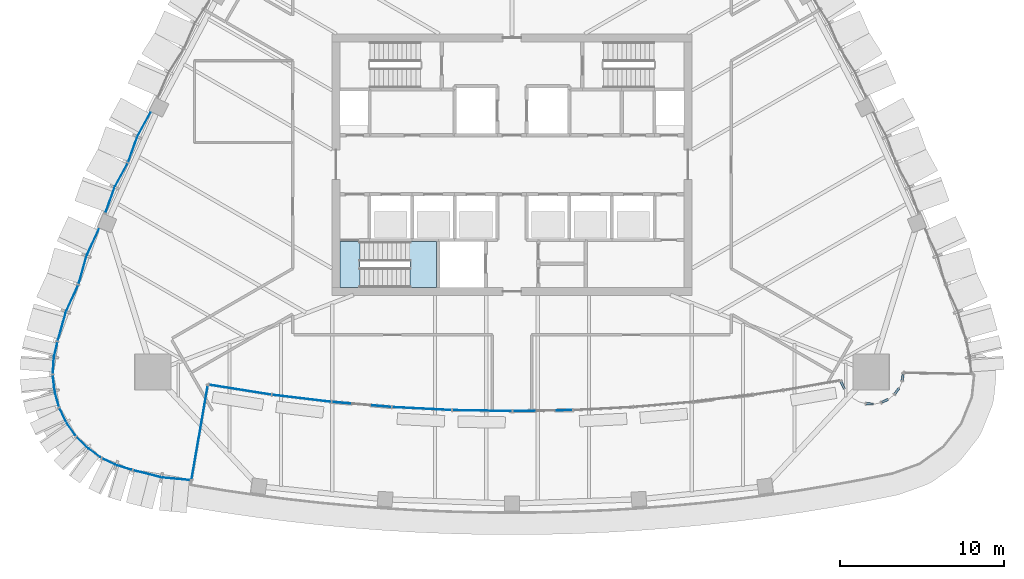
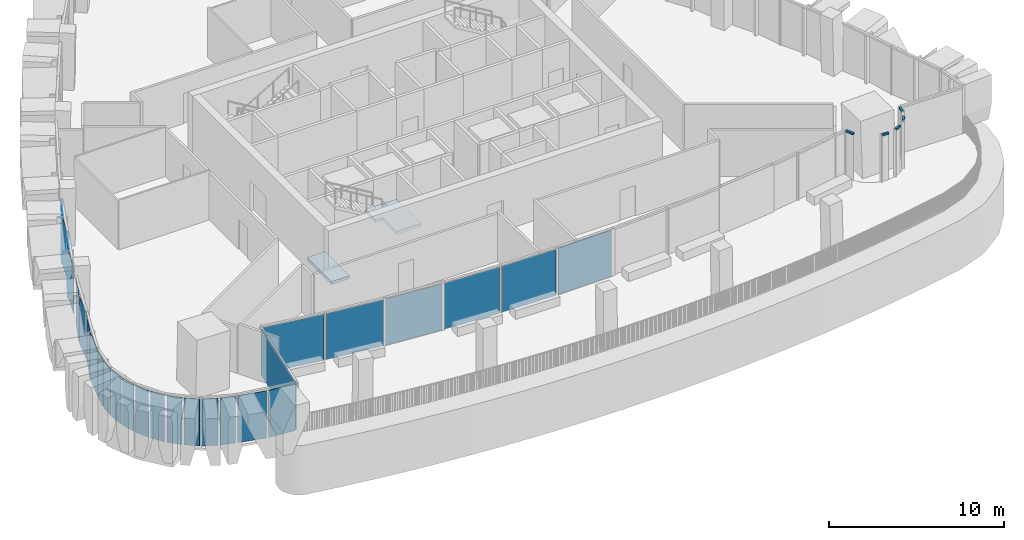
# One storey, part 9 of 22: 27 plates, 5 members, 2 slabs, 21 elements without a shape of their own.
"""IFC4 building model written with IfcOpenShell, lengths in metres."""

from ifc_helpers import new_model, si_unit, direction, frame, origin, origin_2d, place, context, subcontext, project, spatial, polyline, rectangle, outline, extrude, material, layer, layer_set, material_profile, profile_set, type_object, element, aggregate, save


model = new_model("IFC4")

# Units and contexts
model_context = context("Model", 3, precision=1e-05, world=origin(), true_north=direction((0.0, 1.0)))
body_context = subcontext(model_context, "Body", "Model", "MODEL_VIEW")
ifc_project = project(units=[si_unit("LENGTHUNIT", "METRE"), si_unit("AREAUNIT", "SQUARE_METRE"), si_unit("VOLUMEUNIT", "CUBIC_METRE"), si_unit("PLANEANGLEUNIT", "RADIAN"), si_unit("MASSUNIT", "GRAM", prefix="KILO")], contexts=[model_context])

# Site, building, storey
site_placement = place(None, origin())
site = spatial("IfcSite", under=ifc_project, at=site_placement, CompositionType="ELEMENT")
building_placement = place(site_placement, origin())
building = spatial("IfcBuilding", under=site, at=building_placement, Name="Sierra Prisma Convention Tower", CompositionType="ELEMENT")
storey_placement = place(building_placement, frame((0.0, 0.0, 243.0)))
storey = spatial("IfcBuildingStorey", under=building, at=storey_placement, Name="L54", CompositionType="ELEMENT", Elevation=243.0)

# Curtain wall, member
ifc_material_1 = material(Name="Aluminium and glass curtain wall", Category="aluminium")
ifc_layer_1 = layer(ifc_material_1, 0.179931640625)
ifc_layer_set_1 = layer_set([ifc_layer_1], Name="CW-6 Terrace recess curtain wall")
curtain_wall_type_1 = type_object("IfcCurtainWallType", Name="CW-6 Terrace recess curtain wall", PredefinedType="NOTDEFINED", material=ifc_layer_set_1)
curtain_wall_1_placement = place(storey_placement, origin())
curtain_wall_1 = element("IfcCurtainWall", 1, at=curtain_wall_1_placement, inside=storey, type_object=curtain_wall_type_1, Name="CW-6 R12 L54", PredefinedType="NOTDEFINED")
ifc_material_2 = material(Name="Aluminium 6063-T6 bronze anodised", Category="aluminium")
ifc_material_profile = material_profile(ifc_material_2, rectangle(XDim=0.139892578125, YDim=0.1201171875, at=origin_2d()), Name="ALU TRANSOM 120x140")
ifc_profile_set = profile_set([ifc_material_profile], Name="Aluminium 6063-T6 bronze anodised")
member_type = type_object("IfcMemberType", Name="CW transom bronze", PredefinedType="USERDEFINED", material=ifc_profile_set)
member_1_placement = place(storey_placement, frame((20.09716796875, -13.238525390625, 3.280029296875), z_axis=(0.407528469803, -0.913192502323, 0.0), x_axis=(0.913192502323, 0.407528469803, 0.0)))
member_1 = element("IfcMember", 2, at=member_1_placement, type_object=member_type, Name="CW-6 transom R12.1", ObjectType="TRANSOM", PredefinedType="USERDEFINED", context=body_context, shape_type="SweptSolid", body=[
    extrude(rectangle(XDim=0.139892578125, YDim=0.1201171875, at=origin_2d()), origin(), (0.0, 0.0, 1.0), 0.505126953125),
])
aggregate(curtain_wall_1, [member_1])

curtain_wall_2_placement = place(storey_placement, origin())
curtain_wall_2 = element("IfcCurtainWall", 3, at=curtain_wall_2_placement, inside=storey, type_object=curtain_wall_type_1, Name="CW-6 R17 L54", PredefinedType="NOTDEFINED")
member_2_placement = place(storey_placement, frame((21.64599609375, -14.5986328125, 3.280029296875), z_axis=(0.998773298385, -0.049516648033, 0.0), x_axis=(0.049516648033, 0.998773298385, 0.0)))
member_2 = element("IfcMember", 4, at=member_2_placement, type_object=member_type, Name="CW-6 transom R17.1", ObjectType="TRANSOM", PredefinedType="USERDEFINED", context=body_context, shape_type="SweptSolid", body=[
    extrude(rectangle(XDim=0.139892578125, YDim=0.1201171875, at=origin_2d()), origin(), (0.0, 0.0, 1.0), 0.433837890625),
])
aggregate(curtain_wall_2, [member_2])

curtain_wall_3_placement = place(storey_placement, origin())
curtain_wall_3 = element("IfcCurtainWall", 5, at=curtain_wall_3_placement, inside=storey, type_object=curtain_wall_type_1, Name="CW-6 R19 L54", PredefinedType="NOTDEFINED")
member_3_placement = place(storey_placement, frame((22.588623046875, -14.518798828125, 3.280029296875), z_axis=(0.904001119552, 0.427530087654, 0.0), x_axis=(-0.427530087654, 0.904001119552, 0.0)))
member_3 = element("IfcMember", 6, at=member_3_placement, type_object=member_type, Name="CW-6 transom R19.1", ObjectType="TRANSOM", PredefinedType="USERDEFINED", context=body_context, shape_type="SweptSolid", body=[
    extrude(rectangle(XDim=0.139892578125, YDim=0.1201171875, at=origin_2d()), origin(), (0.0, 0.0, 1.0), 0.43408203125),
])
aggregate(curtain_wall_3, [member_3])

curtain_wall_4_placement = place(storey_placement, origin())
curtain_wall_4 = element("IfcCurtainWall", 7, at=curtain_wall_4_placement, inside=storey, type_object=curtain_wall_type_1, Name="CW-6 R21 L54", PredefinedType="NOTDEFINED")
member_4_placement = place(storey_placement, frame((23.382080078125, -14.00390625, 3.280029296875), z_axis=(0.595671369391, 0.803228248811, 0.0), x_axis=(-0.803228248811, 0.595671369391, 0.0)))
member_4 = element("IfcMember", 8, at=member_4_placement, type_object=member_type, Name="CW-6 transom R21.1", ObjectType="TRANSOM", PredefinedType="USERDEFINED", context=body_context, shape_type="SweptSolid", body=[
    extrude(rectangle(XDim=0.139892578125, YDim=0.1201171875, at=origin_2d()), origin(), (0.0, 0.0, 1.0), 0.43408203125),
])
aggregate(curtain_wall_4, [member_4])

curtain_wall_5_placement = place(storey_placement, origin())
curtain_wall_5 = element("IfcCurtainWall", 9, at=curtain_wall_5_placement, inside=storey, type_object=curtain_wall_type_1, Name="CW-6 R23 L54", PredefinedType="NOTDEFINED")
member_5_placement = place(storey_placement, frame((23.83935546875, -13.17578125, 3.280029296875), z_axis=(0.146570886848, 0.989200169394, 0.0), x_axis=(-0.989200169394, 0.146570886848, 0.0)))
member_5 = element("IfcMember", 10, at=member_5_placement, type_object=member_type, Name="CW-6 transom R23.1", ObjectType="TRANSOM", PredefinedType="USERDEFINED", context=body_context, shape_type="SweptSolid", body=[
    extrude(rectangle(XDim=0.139892578125, YDim=0.1201171875, at=origin_2d()), origin(), (0.0, 0.0, 1.0), 0.398193359375),
])
aggregate(curtain_wall_5, [member_5])

# Curtain wall, plates
ifc_material_3 = material(Name="Aluminium and glass curtain wall", Category="aluminium")
ifc_layer_2 = layer(ifc_material_3, 0.179931640625)
ifc_layer_set_2 = layer_set([ifc_layer_2], Name="CW-2 Faceted crystal curtain wall")
curtain_wall_type_2 = type_object("IfcCurtainWallType", Name="CW-2 Faceted crystal curtain wall", PredefinedType="NOTDEFINED", material=ifc_layer_set_2)
curtain_wall_6_placement = place(storey_placement, origin())
curtain_wall_6 = element("IfcCurtainWall", 11, at=curtain_wall_6_placement, inside=storey, type_object=curtain_wall_type_2, Name="CW-2 NW5 L54", PredefinedType="NOTDEFINED")
ifc_material_4 = material(Name="Tinted glass bronze-grey IGU", Category="glass")
ifc_layer_3 = layer(ifc_material_4, 0.028076171875)
ifc_layer_set_3 = layer_set([ifc_layer_3], Name="CW-2 crystal pane")
plate_type_1 = type_object("IfcPlateType", Name="CW-2 crystal pane", PredefinedType="CURTAIN_PANEL", material=ifc_layer_set_3)
plate_1_placement = place(storey_placement, frame((-22.1083984375, 3.180419921875, 0.0), z_axis=(-0.877714542565, 0.479183870523, 0.0), x_axis=(-0.479183870523, -0.877714542565, 0.0)))
plate_1 = element("IfcPlate", 12, at=plate_1_placement, type_object=plate_type_1, Name="CW-2 pane NW5.1.1", PredefinedType="CURTAIN_PANEL", context=body_context, shape_type="SweptSolid", body=[
    extrude(outline(polyline([(0.0, 0.0), (1.5982782137233422, 0.0), (1.5982782137233422, 3.280029296875), (0.0, 3.280029296875), (0.0, 0.0)])), origin(), (0.0, 0.0, -1.0), 0.028076171875),
])
plate_2_placement = place(storey_placement, frame((-23.46435546875, 0.15380859375, 0.0), z_axis=(-0.941845542118, 0.336046090279, 0.0), x_axis=(0.336046090279, 0.941845542118, 0.0)))
plate_2 = element("IfcPlate", 13, at=plate_2_placement, type_object=plate_type_1, Name="CW-2 pane NW5.1.2", PredefinedType="CURTAIN_PANEL", context=body_context, shape_type="SweptSolid", body=[
    extrude(outline(polyline([(0.0, 0.0), (1.5983205594032013, 0.0), (1.5983205594032013, -3.280029296875), (0.0, -3.280029296875), (0.0, 0.0)])), origin(), (0.0, 0.0, -1.0), 0.028076171875),
])
plate_3_placement = place(storey_placement, frame((-23.492919921875, 0.08984375, 0.0), z_axis=(-0.877749610058, 0.479119632287, 0.0), x_axis=(-0.479119632287, -0.877749610058, 0.0)))
plate_3 = element("IfcPlate", 14, at=plate_3_placement, type_object=plate_type_1, Name="CW-2 pane NW5.2.1", PredefinedType="CURTAIN_PANEL", context=body_context, shape_type="SweptSolid", body=[
    extrude(outline(polyline([(0.0, 0.0), (1.5984925037813222, 0.0), (1.5984925037813222, 3.280029296875), (0.0, 3.280029296875), (0.0, 0.0)])), origin(), (0.0, 0.0, -1.0), 0.028076171875),
])
plate_4_placement = place(storey_placement, frame((-24.848876953125, -2.93701171875, 0.0), z_axis=(-0.941862787791, 0.335997751442, 0.0), x_axis=(0.335997751442, 0.941862787791, 0.0)))
plate_4 = element("IfcPlate", 15, at=plate_4_placement, type_object=plate_type_1, Name="CW-2 pane NW5.2.2", PredefinedType="CURTAIN_PANEL", context=body_context, shape_type="SweptSolid", body=[
    extrude(outline(polyline([(0.0, 0.0), (1.5985505042678436, 0.0), (1.5985505042678436, -3.280029296875), (0.0, -3.280029296875), (0.0, 0.0)])), origin(), (0.0, 0.0, -1.0), 0.028076171875),
])
aggregate(curtain_wall_6, [plate_1, plate_2, plate_3, plate_4])

curtain_wall_7_placement = place(storey_placement, origin())
curtain_wall_7 = element("IfcCurtainWall", 16, at=curtain_wall_7_placement, inside=storey, type_object=curtain_wall_type_2, Name="CW-2 NW6 L54", PredefinedType="NOTDEFINED")
plate_5_placement = place(storey_placement, frame((-25.25927734375, -3.939697265625, 0.0), z_axis=(-0.908365551734, 0.418177025221, 0.0), x_axis=(-0.418177025221, -0.908365551734, 0.0)))
plate_5 = element("IfcPlate", 17, at=plate_5_placement, type_object=plate_type_1, Name="CW-2 pane NW6.1.1", PredefinedType="CURTAIN_PANEL", context=body_context, shape_type="SweptSolid", body=[
    extrude(outline(polyline([(0.0, 0.0), (1.7222726269322473, 0.0), (1.7222726269322473, 3.280029296875), (0.0, 3.280029296875), (0.0, 0.0)])), origin(), (0.0, 0.0, -1.0), 0.028076171875),
])
plate_6_placement = place(storey_placement, frame((-26.49072265625, -7.28369140625, 0.0), z_axis=(-0.962612831754, 0.270881036884, 0.0), x_axis=(0.270881036884, 0.962612831754, 0.0)))
plate_6 = element("IfcPlate", 18, at=plate_6_placement, type_object=plate_type_1, Name="CW-2 pane NW6.1.2", PredefinedType="CURTAIN_PANEL", context=body_context, shape_type="SweptSolid", body=[
    extrude(outline(polyline([(0.0, 0.0), (1.7223528813290765, 0.0), (1.7223528813290765, -3.280029296875001), (0.0, -3.280029296875001), (0.0, 0.0)])), origin(), (0.0, 0.0, -1.0), 0.028076171875),
])
plate_7_placement = place(storey_placement, frame((-26.514892578125, -7.349365234375, 0.0), z_axis=(-0.908365551734, 0.418177025221, 0.0), x_axis=(-0.418177025221, -0.908365551734, 0.0)))
plate_7 = element("IfcPlate", 19, at=plate_7_placement, type_object=plate_type_1, Name="CW-2 pane NW6.2.1", PredefinedType="CURTAIN_PANEL", context=body_context, shape_type="SweptSolid", body=[
    extrude(outline(polyline([(0.0, 0.0), (1.7222726269322473, 0.0), (1.7222726269322473, 3.280029296875), (0.0, 3.280029296875), (0.0, 0.0)])), origin(), (0.0, 0.0, -1.0), 0.028076171875),
])
plate_8_placement = place(storey_placement, frame((-27.74658203125, -10.693359375, 0.0), z_axis=(-0.962612831754, 0.270881036884, 0.0), x_axis=(0.270881036884, 0.962612831754, 0.0)))
plate_8 = element("IfcPlate", 20, at=plate_8_placement, type_object=plate_type_1, Name="CW-2 pane NW6.2.2", PredefinedType="CURTAIN_PANEL", context=body_context, shape_type="SweptSolid", body=[
    extrude(outline(polyline([(0.0, 0.0), (1.7223528813290765, 0.0), (1.7223528813290765, -3.280029296875001), (0.0, -3.280029296875001), (0.0, 0.0)])), origin(), (0.0, 0.0, -1.0), 0.028076171875),
])
aggregate(curtain_wall_7, [plate_5, plate_6, plate_7, plate_8])

curtain_wall_8_placement = place(storey_placement, origin())
curtain_wall_8 = element("IfcCurtainWall", 21, at=curtain_wall_8_placement, inside=storey, type_object=curtain_wall_type_2, Name="CW-2 SW1 L54", PredefinedType="NOTDEFINED")
plate_9_placement = place(storey_placement, frame((-27.78125, -10.828125, 0.0), z_axis=(-0.973933746598, 0.226832663515, 0.0), x_axis=(-0.226832663515, -0.973933746598, 0.0)))
plate_9 = element("IfcPlate", 22, at=plate_9_placement, type_object=plate_type_1, Name="CW-2 pane SW1.1.1", PredefinedType="CURTAIN_PANEL", context=body_context, shape_type="SweptSolid", body=[
    extrude(outline(polyline([(0.0, 0.0), (0.8944076052839673, 0.0), (0.8944076052839673, 3.2800292968749996), (0.0, 3.2800292968749996), (0.0, 0.0)])), origin(), (0.0, 0.0, -1.0), 0.028076171875),
])
plate_10_placement = place(storey_placement, frame((-28.067626953125, -12.719482421875, 0.0), z_axis=(-0.997419754667, 0.07179020128, 0.0), x_axis=(0.07179020128, 0.997419754667, 0.0)))
plate_10 = element("IfcPlate", 23, at=plate_10_placement, type_object=plate_type_1, Name="CW-2 pane SW1.1.2", PredefinedType="CURTAIN_PANEL", context=body_context, shape_type="SweptSolid", body=[
    extrude(outline(polyline([(0.0, 0.0), (0.8943976090064018, 0.0), (0.8943976090064018, -3.280029296875), (0.0, -3.280029296875), (0.0, 0.0)])), origin(), (0.0, 0.0, -1.0), 0.028076171875),
])
aggregate(curtain_wall_8, [plate_9, plate_10])

curtain_wall_9_placement = place(storey_placement, origin())
curtain_wall_9 = element("IfcCurtainWall", 24, at=curtain_wall_9_placement, inside=storey, type_object=curtain_wall_type_2, Name="CW-2 SW2 L54", PredefinedType="NOTDEFINED")
plate_11_placement = place(storey_placement, frame((-28.065185546875, -12.857421875, 0.0), z_axis=(-0.994140637614, -0.108094369164, 0.0), x_axis=(0.108094369164, -0.994140637614, 0.0)))
plate_11 = element("IfcPlate", 25, at=plate_11_placement, type_object=plate_type_1, Name="CW-2 pane SW2.1.1", PredefinedType="CURTAIN_PANEL", context=body_context, shape_type="SweptSolid", body=[
    extrude(outline(polyline([(0.0, 0.0), (0.8944007745063854, 0.0), (0.8944007745063854, 3.280029296875), (0.0, 3.280029296875), (0.0, 0.0)])), origin(), (0.0, 0.0, -1.0), 0.028076171875),
])
plate_12_placement = place(storey_placement, frame((-27.710205078125, -14.737060546875, 0.0), z_axis=(-0.965065502183, -0.262008733624, 0.0), x_axis=(-0.262008733624, 0.965065502183, 0.0)))
plate_12 = element("IfcPlate", 26, at=plate_12_placement, type_object=plate_type_1, Name="CW-2 pane SW2.1.2", PredefinedType="CURTAIN_PANEL", context=body_context, shape_type="SweptSolid", body=[
    extrude(outline(polyline([(0.0, 0.0), (0.89453125, 0.0), (0.89453125, -3.280029296875), (0.0, -3.280029296875), (0.0, 0.0)])), origin(), (0.0, 0.0, -1.0), 0.028076171875),
])
aggregate(curtain_wall_9, [plate_11, plate_12])

curtain_wall_10_placement = place(storey_placement, origin())
curtain_wall_10 = element("IfcCurtainWall", 27, at=curtain_wall_10_placement, inside=storey, type_object=curtain_wall_type_2, Name="CW-2 SW3 L54", PredefinedType="NOTDEFINED")
plate_13_placement = place(storey_placement, frame((-27.662109375, -14.866455078125, 0.0), z_axis=(-0.902572671693, -0.430537538796, 0.0), x_axis=(0.430537538796, -0.902572671693, 0.0)))
plate_13 = element("IfcPlate", 28, at=plate_13_placement, type_object=plate_type_1, Name="CW-2 pane SW3.1.1", PredefinedType="CURTAIN_PANEL", context=body_context, shape_type="SweptSolid", body=[
    extrude(outline(polyline([(0.0, 0.0), (0.8942536502195217, 0.0), (0.8942536502195217, 3.280029296875), (0.0, 3.280029296875), (0.0, 0.0)])), origin(), (0.0, 0.0, -1.0), 0.028076171875),
])
plate_14_placement = place(storey_placement, frame((-26.705810546875, -16.52294921875, 0.0), z_axis=(-0.824241024269, -0.566239113725, 0.0), x_axis=(-0.566239113725, 0.824241024269, 0.0)))
plate_14 = element("IfcPlate", 29, at=plate_14_placement, type_object=plate_type_1, Name="CW-2 pane SW3.1.2", PredefinedType="CURTAIN_PANEL", context=body_context, shape_type="SweptSolid", body=[
    extrude(outline(polyline([(0.0, 0.0), (0.8942293882162128, 0.0), (0.8942293882162128, -3.280029296875), (0.0, -3.280029296875), (0.0, 0.0)])), origin(), (0.0, 0.0, -1.0), 0.028076171875),
])
aggregate(curtain_wall_10, [plate_13, plate_14])

curtain_wall_11_placement = place(storey_placement, origin())
curtain_wall_11 = element("IfcCurtainWall", 30, at=curtain_wall_11_placement, inside=storey, type_object=curtain_wall_type_2, Name="CW-2 SW4 L54", PredefinedType="NOTDEFINED")
plate_15_placement = place(storey_placement, frame((-26.61767578125, -16.629150390625, 0.0), z_axis=(-0.70942313503, -0.704782814408, 0.0), x_axis=(0.704782814408, -0.70942313503, 0.0)))
plate_15 = element("IfcPlate", 31, at=plate_15_placement, type_object=plate_type_1, Name="CW-2 pane SW4.1.1", PredefinedType="CURTAIN_PANEL", context=body_context, shape_type="SweptSolid", body=[
    extrude(outline(polyline([(0.0, 0.0), (0.894418934263483, 0.0), (0.894418934263483, 3.280029296875), (0.0, 3.280029296875), (0.0, 0.0)])), origin(), (0.0, 0.0, -1.0), 0.028076171875),
])
plate_16_placement = place(storey_placement, frame((-25.16748046875, -17.87646484375, 0.0), z_axis=(-0.590700769288, -0.806890699638, 0.0), x_axis=(-0.806890699638, 0.590700769288, 0.0)))
plate_16 = element("IfcPlate", 32, at=plate_16_placement, type_object=plate_type_1, Name="CW-2 pane SW4.1.2", PredefinedType="CURTAIN_PANEL", context=body_context, shape_type="SweptSolid", body=[
    extrude(outline(polyline([(0.0, 0.0), (0.8943958429857528, 0.0), (0.8943958429857528, -3.280029296875), (0.0, -3.280029296875), (0.0, 0.0)])), origin(), (0.0, 0.0, -1.0), 0.028076171875),
])
aggregate(curtain_wall_11, [plate_15, plate_16])

curtain_wall_12_placement = place(storey_placement, origin())
curtain_wall_12 = element("IfcCurtainWall", 33, at=curtain_wall_12_placement, inside=storey, type_object=curtain_wall_type_2, Name="CW-2 SW5 L54", PredefinedType="NOTDEFINED")
plate_17_placement = place(storey_placement, frame((-25.049072265625, -17.947509765625, 0.0), z_axis=(-0.436809291857, -0.899554135418, 0.0), x_axis=(0.899554135418, -0.436809291857, 0.0)))
plate_17 = element("IfcPlate", 34, at=plate_17_placement, type_object=plate_type_1, Name="CW-2 pane SW5.1.1", PredefinedType="CURTAIN_PANEL", context=body_context, shape_type="SweptSolid", body=[
    extrude(outline(polyline([(0.0, 0.0), (0.8942689802668632, 0.0), (0.8942689802668632, 3.280029296875), (0.0, 3.280029296875), (0.0, 0.0)])), origin(), (0.0, 0.0, -1.0), 0.028076171875),
])
plate_18_placement = place(storey_placement, frame((-23.26806640625, -18.645263671875, 0.0), z_axis=(-0.290727079663, -0.95680602274, 0.0), x_axis=(-0.95680602274, 0.290727079663, 0.0)))
plate_18 = element("IfcPlate", 35, at=plate_18_placement, type_object=plate_type_1, Name="CW-2 pane SW5.1.2", PredefinedType="CURTAIN_PANEL", context=body_context, shape_type="SweptSolid", body=[
    extrude(outline(polyline([(0.0, 0.0), (0.8943431273298637, 0.0), (0.8943431273298637, -3.280029296875), (0.0, -3.280029296875), (0.0, 0.0)])), origin(), (0.0, 0.0, -1.0), 0.028076171875),
])
aggregate(curtain_wall_12, [plate_17, plate_18])

curtain_wall_13_placement = place(storey_placement, origin())
curtain_wall_13 = element("IfcCurtainWall", 36, at=curtain_wall_13_placement, inside=storey, type_object=curtain_wall_type_2, Name="CW-2 S1 L54", PredefinedType="NOTDEFINED")
plate_19_placement = place(storey_placement, frame((-23.134033203125, -18.6826171875, 0.0), z_axis=(-0.246610808659, -0.969114600578, 0.0), x_axis=(0.969114600578, -0.246610808659, 0.0)))
plate_19 = element("IfcPlate", 37, at=plate_19_placement, type_object=plate_type_1, Name="CW-2 pane S1.1.1", PredefinedType="CURTAIN_PANEL", context=body_context, shape_type="SweptSolid", body=[
    extrude(outline(polyline([(0.0, 0.0), (1.704751541655023, 0.0), (1.704751541655023, 3.280029296875), (0.0, 3.280029296875), (0.0, 0.0)])), origin(), (0.0, 0.0, -1.0), 0.028076171875),
])
plate_20_placement = place(storey_placement, frame((-19.65673828125, -19.281982421875, 0.0), z_axis=(-0.092085140388, -0.995751137042, 0.0), x_axis=(-0.995751137042, 0.092085140388, 0.0)))
plate_20 = element("IfcPlate", 38, at=plate_20_placement, type_object=plate_type_1, Name="CW-2 pane S1.1.2", PredefinedType="CURTAIN_PANEL", context=body_context, shape_type="SweptSolid", body=[
    extrude(outline(polyline([(0.0, 0.0), (1.704753027617192, 0.0), (1.704753027617192, -3.280029296875), (0.0, -3.280029296875), (0.0, 0.0)])), origin(), (0.0, 0.0, -1.0), 0.028076171875),
])
aggregate(curtain_wall_13, [plate_19, plate_20])

# Curtain wall, plate
curtain_wall_14_placement = place(storey_placement, origin())
curtain_wall_14 = element("IfcCurtainWall", 39, at=curtain_wall_14_placement, inside=storey, type_object=curtain_wall_type_1, Name="CW-6 R1 L54", PredefinedType="NOTDEFINED")
ifc_material_5 = material(Name="Tinted glass bronze-grey IGU", Category="glass")
ifc_layer_4 = layer(ifc_material_5, 0.028076171875)
ifc_layer_set_4 = layer_set([ifc_layer_4], Name="CW-6 glass panel")
plate_type_2 = type_object("IfcPlateType", Name="CW-6 glass panel", PredefinedType="CURTAIN_PANEL", material=ifc_layer_set_4)
plate_21_placement = place(storey_placement, frame((-16.64453125, -13.740478515625, 0.0), z_axis=(0.0, 0.0, 1.0), x_axis=(0.987462635776, -0.157852915543, 0.0)))
plate_21 = element("IfcPlate", 40, at=plate_21_placement, type_object=plate_type_2, Name="CW-6 panel R1.1", PredefinedType="CURTAIN_PANEL", context=body_context, shape_type="SweptSolid", body=[
    extrude(rectangle(XDim=3.77392578125, YDim=0.028076171875, at=origin_2d()), origin(), (0.0, 0.0, 1.0), 3.219970703125),
])
aggregate(curtain_wall_14, [plate_21])

curtain_wall_15_placement = place(storey_placement, origin())
curtain_wall_15 = element("IfcCurtainWall", 41, at=curtain_wall_15_placement, inside=storey, type_object=curtain_wall_type_1, Name="CW-6 R2 L54", PredefinedType="NOTDEFINED")
plate_22_placement = place(storey_placement, frame((-12.880615234375, -14.269287109375, 0.0), z_axis=(0.0, 0.0, 1.0), x_axis=(0.992868091138, -0.119218092591, 0.0)))
plate_22 = element("IfcPlate", 42, at=plate_22_placement, type_object=plate_type_2, Name="CW-6 panel R2.1", PredefinedType="CURTAIN_PANEL", context=body_context, shape_type="SweptSolid", body=[
    extrude(rectangle(XDim=3.54931640625, YDim=0.028076171875, at=origin_2d()), origin(), (0.0, 0.0, 1.0), 3.219970703125),
])
aggregate(curtain_wall_15, [plate_22])

curtain_wall_16_placement = place(storey_placement, origin())
curtain_wall_16 = element("IfcCurtainWall", 43, at=curtain_wall_16_placement, inside=storey, type_object=curtain_wall_type_1, Name="CW-6 R3 L54", PredefinedType="NOTDEFINED")
plate_23_placement = place(storey_placement, frame((-9.211181640625, -14.646484375, 0.0), z_axis=(0.0, 0.0, 1.0), x_axis=(0.99635914901, -0.08525518274, 0.0)))
plate_23 = element("IfcPlate", 44, at=plate_23_placement, type_object=plate_type_2, Name="CW-6 panel R3.1", PredefinedType="CURTAIN_PANEL", context=body_context, shape_type="SweptSolid", body=[
    extrude(rectangle(XDim=3.54931640625, YDim=0.028076171875, at=origin_2d()), origin(), (0.0, 0.0, 1.0), 3.219970703125),
])
aggregate(curtain_wall_16, [plate_23])

curtain_wall_17_placement = place(storey_placement, origin())
curtain_wall_17 = element("IfcCurtainWall", 45, at=curtain_wall_17_placement, inside=storey, type_object=curtain_wall_type_1, Name="CW-6 R4 L54", PredefinedType="NOTDEFINED")
plate_24_placement = place(storey_placement, frame((-5.531005859375, -14.898193359375, 0.0), z_axis=(0.0, 0.0, 1.0), x_axis=(0.998688784171, -0.051192893759, 0.0)))
plate_24 = element("IfcPlate", 46, at=plate_24_placement, type_object=plate_type_2, Name="CW-6 panel R4.1", PredefinedType="CURTAIN_PANEL", context=body_context, shape_type="SweptSolid", body=[
    extrude(rectangle(XDim=3.54931640625, YDim=0.028076171875, at=origin_2d()), origin(), (0.0, 0.0, 1.0), 3.219970703125),
])
aggregate(curtain_wall_17, [plate_24])

curtain_wall_18_placement = place(storey_placement, origin())
curtain_wall_18 = element("IfcCurtainWall", 47, at=curtain_wall_18_placement, inside=storey, type_object=curtain_wall_type_1, Name="CW-6 R5 L54", PredefinedType="NOTDEFINED")
plate_25_placement = place(storey_placement, frame((-1.844482421875, -15.02392578125, 0.0), z_axis=(0.0, 0.0, 1.0), x_axis=(0.999854281042, -0.017070930925, 0.0)))
plate_25 = element("IfcPlate", 48, at=plate_25_placement, type_object=plate_type_2, Name="CW-6 panel R5.1", PredefinedType="CURTAIN_PANEL", context=body_context, shape_type="SweptSolid", body=[
    extrude(rectangle(XDim=3.54931640625, YDim=0.028076171875, at=origin_2d()), origin(), (0.0, 0.0, 1.0), 3.219970703125),
])
aggregate(curtain_wall_18, [plate_25])

curtain_wall_19_placement = place(storey_placement, origin())
curtain_wall_19 = element("IfcCurtainWall", 49, at=curtain_wall_19_placement, inside=storey, type_object=curtain_wall_type_1, Name="CW-6 R6 L54", PredefinedType="NOTDEFINED")
plate_26_placement = place(storey_placement, frame((1.844482421875, -15.02392578125, 0.0), z_axis=(0.0, 0.0, 1.0), x_axis=(0.999854281042, 0.017070930925, 0.0)))
plate_26 = element("IfcPlate", 50, at=plate_26_placement, type_object=plate_type_2, Name="CW-6 panel R6.1", PredefinedType="CURTAIN_PANEL", context=body_context, shape_type="SweptSolid", body=[
    extrude(rectangle(XDim=3.54931640625, YDim=0.028076171875, at=origin_2d()), origin(), (0.0, 0.0, 1.0), 3.219970703125),
])
aggregate(curtain_wall_19, [plate_26])

curtain_wall_20_placement = place(storey_placement, origin())
curtain_wall_20 = element("IfcCurtainWall", 51, at=curtain_wall_20_placement, inside=storey, type_object=curtain_wall_type_1, Name="CW-6 RT1 L54", PredefinedType="NOTDEFINED")
plate_27_placement = place(storey_placement, frame((-19.082275390625, -16.36279296875, 0.0), z_axis=(0.0, 0.0, 1.0), x_axis=(0.169889562647, 0.985463107632, 0.0)))
plate_27 = element("IfcPlate", 52, at=plate_27_placement, type_object=plate_type_2, Name="CW-6 panel RT1.1", PredefinedType="CURTAIN_PANEL", context=body_context, shape_type="SweptSolid", body=[
    extrude(rectangle(XDim=5.80908203125, YDim=0.028076171875, at=origin_2d()), origin(), (0.0, 0.0, 1.0), 3.219970703125),
])
aggregate(curtain_wall_20, [plate_27])

# Stair, slab
ifc_material_6 = material(Name="Concrete C30/37", Category="concrete")
stair_type = type_object("IfcStairType", Name="Stair dog-leg 1200 RC", PredefinedType="HALF_TURN_STAIR", material=ifc_material_6)
stair_placement = place(storey_placement, origin())
stair = element("IfcStair", 53, at=stair_placement, inside=storey, type_object=stair_type, Name="L54 S1", PredefinedType="HALF_TURN_STAIR")
ifc_material_7 = material(Name="Concrete C35/45", Category="concrete")
ifc_layer_5 = layer(ifc_material_7, 0.199951171875)
ifc_layer_set_5 = layer_set([ifc_layer_5], Name="Stair landing slab")
slab_type = type_object("IfcSlabType", Name="Stair landing slab", PredefinedType="LANDING", material=ifc_layer_set_5)
slab_1_placement = place(storey_placement, frame((0.0, 0.0, 1.800048828125)))
slab_1 = element("IfcSlab", 54, at=slab_1_placement, type_object=slab_type, Name="S1 landing 1", PredefinedType="LANDING", context=body_context, shape_type="SweptSolid", body=[
    extrude(outline(polyline([(-4.60009765625, -4.699951171875), (-4.60009765625, -7.5), (-6.221923828125, -7.5), (-6.221923828125, -5.89990234375), (-6.669921875, -5.89990234375), (-6.669921875, -4.699951171875), (-4.60009765625, -4.699951171875)])), origin(), (0.0, 0.0, 1.0), 0.199951171875),
])
aggregate(stair, [slab_1])

# Slab
slab_2_placement = place(storey_placement, frame((0.0, 0.0, -0.199951171875)))
element("IfcSlab", 55, at=slab_2_placement, inside=storey, type_object=slab_type, Name="S1 floor landing L54", PredefinedType="LANDING", context=body_context, shape_type="SweptSolid", body=[
    extrude(outline(polyline([(-10.5, -7.5), (-9.298095703125, -7.5), (-9.298095703125, -4.699951171875), (-10.5, -4.699951171875), (-10.5, -7.5)])), origin(), (0.0, 0.0, 1.0), 0.199951171875),
])

save(model, "model.ifc")
